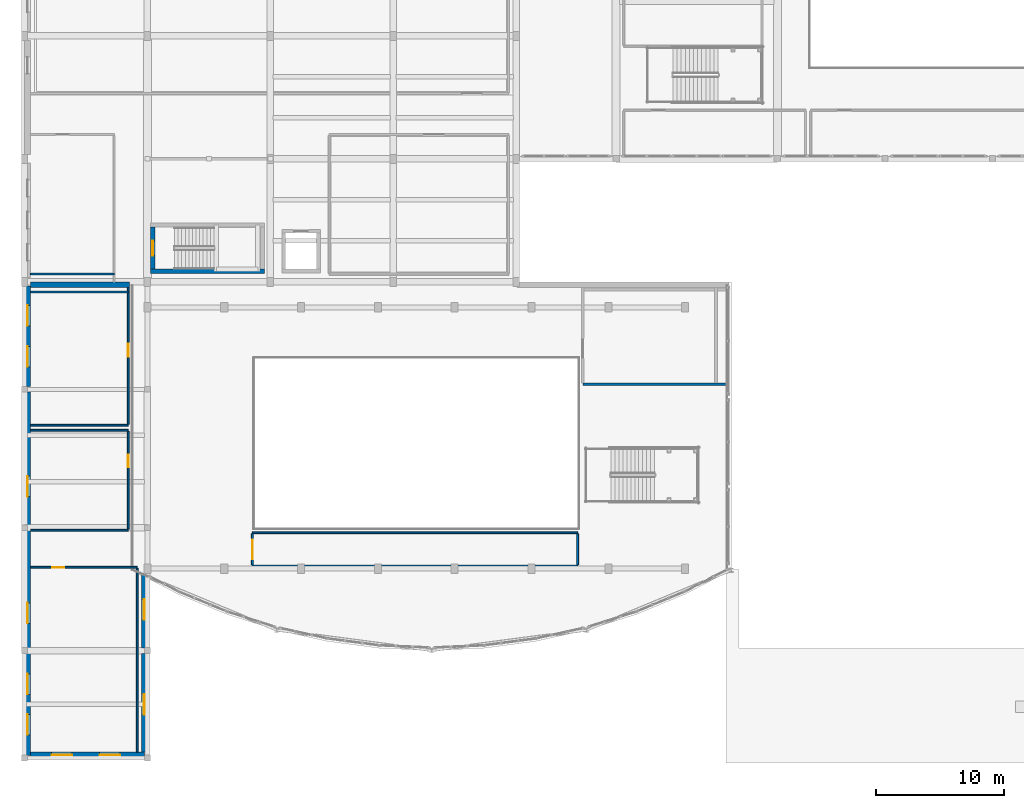
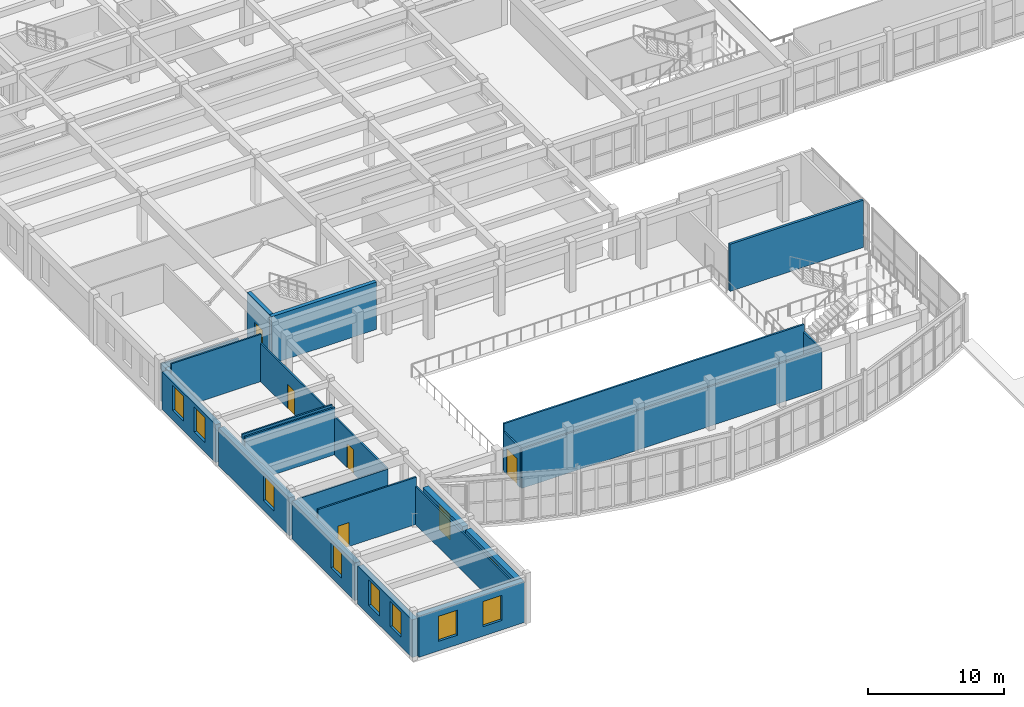
# One storey, part 63 of 92: 24 walls, 10 windows, 5 doors, 15 openings.
"""IFC4 building model written with IfcOpenShell, lengths in metres."""

from ifc_helpers import new_model, si_unit, direction, frame, frame_2d, origin, place, context, subcontext, project, spatial, rectangle, extrude, material, layer, layer_set, type_object, element, fill, save


model = new_model("IFC4")

# Units and contexts
model_context = context("Model", 3, precision=1e-05, world=origin(), true_north=direction((0.0, 1.0)))
body_context = subcontext(model_context, "Body", "Model", "MODEL_VIEW")
ifc_project = project(units=[si_unit("LENGTHUNIT", "METRE"), si_unit("AREAUNIT", "SQUARE_METRE"), si_unit("VOLUMEUNIT", "CUBIC_METRE"), si_unit("PLANEANGLEUNIT", "RADIAN"), si_unit("MASSUNIT", "GRAM", prefix="KILO")], contexts=[model_context])

# Site, building, storey
site_placement = place(None, origin())
site = spatial("IfcSite", under=ifc_project, at=site_placement, CompositionType="ELEMENT")
building_placement = place(site_placement, origin())
building = spatial("IfcBuilding", under=site, at=building_placement, Name="Tarnavel Promenade Courthouse", CompositionType="ELEMENT")
storey_placement = place(building_placement, frame((0.0, 0.0, 5.39990234375)))
storey = spatial("IfcBuildingStorey", under=building, at=storey_placement, Name="L02", CompositionType="ELEMENT", Elevation=5.39990234375)

# Walls
ifc_material_1 = material(Name="Acoustic Insulated Gypsum Stud Partition", Category="gypsum")
ifc_layer_1 = layer(ifc_material_1, 0.14990234375)
ifc_layer_set_1 = layer_set([ifc_layer_1], Name="Acoustic Insulated Gypsum Stud Partition")
wall_type_1 = type_object("IfcWallType", Name="Acoustic Insulated Gypsum Stud Partition WL-LIB-150 (150 mm)", PredefinedType="PARTITIONING", material=ifc_layer_set_1)
wall_1_placement = place(storey_placement, frame((17.800048828125, 17.60009765625, 0.0), z_axis=(0.0, 0.0, 1.0), x_axis=(1.0, 0.0, 0.0)))
element("IfcWall", 1, at=wall_1_placement, inside=storey, type_object=wall_type_1, Name="L02 First Balcony Promenade Lookout Reading Gallery Partition 0312", PredefinedType="PARTITIONING", context=body_context, shape_type="SweptSolid", body=[
    extrude(rectangle(XDim=25.39990234375, YDim=0.14990234375, at=frame_2d((12.699951171875, 0.0))), origin(), (0.0, 0.0, 1.0), 4.22509765625),
])
wall_2_placement = place(storey_placement, frame((43.199951171875, 15.0, 0.0), z_axis=(0.0, 0.0, 1.0), x_axis=(-1.0, 0.0, 0.0)))
element("IfcWall", 2, at=wall_2_placement, inside=storey, type_object=wall_type_1, Name="L02 First Balcony Promenade Lookout Reading Gallery Partition 0313", PredefinedType="PARTITIONING", context=body_context, shape_type="SweptSolid", body=[
    extrude(rectangle(XDim=25.39990234375, YDim=0.14990234375, at=frame_2d((12.699951171875, 0.0))), origin(), (0.0, 0.0, 1.0), 3.530029296875),
])

# Wall, opening, door
wall_3_placement = place(storey_placement, frame((17.800048828125, 15.0849609375, 0.0), z_axis=(0.0, 0.0, 1.0), x_axis=(0.0, 1.0, 0.0)))
wall_3 = element("IfcWall", 3, at=wall_3_placement, inside=storey, type_object=wall_type_1, Name="L02 First Balcony Promenade Lookout Reading Gallery Partition 0314", PredefinedType="PARTITIONING", context=body_context, shape_type="SweptSolid", body=[
    extrude(rectangle(XDim=2.429931640625, YDim=0.14990234375, at=frame_2d((1.21484375, 0.0))), origin(), (0.0, 0.0, 1.0), 3.530029296875),
])
opening_1_placement = place(wall_3_placement, frame((0.465087890625, 0.0, 0.0)))
opening_1 = element("IfcOpeningElement", 4, at=opening_1_placement, cuts=wall_3, Name="Opening ID-05", PredefinedType="OPENING", context=body_context, shape_type="SweptSolid", body=[
    extrude(rectangle(XDim=1.5, YDim=2.35009765625, at=frame_2d((0.75, 1.175048828125))), frame((0.0, 0.0849609375, 0.0), z_axis=(0.0, -1.0, 0.0), x_axis=(1.0, 0.0, 0.0)), (0.0, 0.0, 1.0), 0.169921875),
])
ifc_material_2 = material(Name="Glazed Oak Law Library Double Door")
door_type_1 = type_object("IfcDoorType", Name="Glazed Oak Law Library Double Door (DR-LIB-1500x2350)", OperationType="NOTDEFINED", PredefinedType="DOOR", material=ifc_material_2)
door_1_placement = place(opening_1_placement, origin())
door_1 = element("IfcDoor", 5, at=door_1_placement, inside=storey, type_object=door_type_1, Name="L02 First Balcony Promenade Lookout Reading Gallery Door 0089", OperationType="DOUBLE_DOOR_SINGLE_SWING", OverallHeight=2.35009765625, OverallWidth=1.5, PredefinedType="DOOR", context=body_context, shape_type="SweptSolid", body=[
    extrude(rectangle(XDim=1.5, YDim=2.35009765625, at=frame_2d((0.75, 1.175048828125))), frame((0.0, 0.02490234375, 0.0), z_axis=(0.0, -1.0, 0.0), x_axis=(1.0, 0.0, 0.0)), (0.0, 0.0, 1.0), 0.050048828125),
])
fill(opening_1, door_1)

# Walls
wall_4_placement = place(storey_placement, frame((43.199951171875, 17.514892578125, 0.0), z_axis=(0.0, 0.0, 1.0), x_axis=(0.0, -1.0, 0.0)))
element("IfcWall", 6, at=wall_4_placement, inside=storey, type_object=wall_type_1, Name="L02 First Balcony Promenade Lookout Reading Gallery Partition 0315", PredefinedType="PARTITIONING", context=body_context, shape_type="SweptSolid", body=[
    extrude(rectangle(XDim=2.429931640625, YDim=0.14990234375, at=frame_2d((1.21484375, 0.0))), origin(), (0.0, 0.0, 1.0), 3.570068359375),
])
ifc_material_3 = material(Name="Concrete C40/50", Category="concrete")
ifc_layer_2 = layer(ifc_material_3, 0.320068359375)
ifc_layer_set_2 = layer_set([ifc_layer_2], Name="Concrete C40/50")
wall_type_2 = type_object("IfcWallType", Name="Concrete C40/50 WL-SHR-320 (320 mm)", PredefinedType="SHEAR", material=ifc_layer_set_2)
wall_5_placement = place(storey_placement, frame((18.739990234375, 38.02001953125, 0.0), z_axis=(0.0, 0.0, 1.0), x_axis=(-1.0, 0.0, 0.0)))
element("IfcWall", 7, at=wall_5_placement, inside=storey, type_object=wall_type_2, Name="L02 ST-05 Shear Core South Wall", PredefinedType="SHEAR", context=body_context, shape_type="SweptSolid", body=[
    extrude(rectangle(XDim=8.8798828125, YDim=0.320068359375, at=frame_2d((4.43994140625, 0.0))), origin(), (0.0, 0.0, 1.0), 4.239990234375),
])

# Wall, opening, door
wall_6_placement = place(storey_placement, frame((10.02001953125, 38.179931640625, 0.0), z_axis=(0.0, 0.0, 1.0), x_axis=(0.0, 1.0, 0.0)))
wall_6 = element("IfcWall", 8, at=wall_6_placement, inside=storey, type_object=wall_type_2, Name="L02 ST-05 Shear Core West Landing Wall", PredefinedType="SHEAR", context=body_context, shape_type="SweptSolid", body=[
    extrude(rectangle(XDim=3.280029296875, YDim=0.320068359375, at=frame_2d((1.64013671875, 0.0))), origin(), (0.0, 0.0, 1.0), 4.239990234375),
])
opening_2_placement = place(wall_6_placement, frame((1.06494140625, 0.0, 0.0)))
opening_2 = element("IfcOpeningElement", 9, at=opening_2_placement, cuts=wall_6, Name="Opening FD-01", PredefinedType="OPENING", context=body_context, shape_type="SweptSolid", body=[
    extrude(rectangle(XDim=1.14990234375, YDim=2.199951171875, at=frame_2d((0.574951171875, 1.10009765625))), frame((0.0, 0.169921875, 0.0), z_axis=(0.0, -1.0, 0.0), x_axis=(1.0, 0.0, 0.0)), (0.0, 0.0, 1.0), 0.340087890625),
])
ifc_material_4 = material(Name="Steel Fire-Rated Stair Core Door", Category="steel")
door_type_2 = type_object("IfcDoorType", Name="Steel Fire-Rated Stair Core Door (DR-ST-1150x2200)", OperationType="NOTDEFINED", PredefinedType="DOOR", material=ifc_material_4)
door_2_placement = place(opening_2_placement, origin())
door_2 = element("IfcDoor", 10, at=door_2_placement, inside=storey, type_object=door_type_2, Name="L02 ST-05 Protected Exit Stair Door", OperationType="SINGLE_SWING_LEFT", OverallHeight=2.199951171875, OverallWidth=1.14990234375, PredefinedType="DOOR", context=body_context, shape_type="SweptSolid", body=[
    extrude(rectangle(XDim=1.14990234375, YDim=2.199951171875, at=frame_2d((0.574951171875, 1.10009765625))), frame((0.0, 0.02490234375, 0.0), z_axis=(0.0, -1.0, 0.0), x_axis=(1.0, 0.0, 0.0)), (0.0, 0.0, 1.0), 0.050048828125),
])
fill(opening_2, door_2)

# Walls
ifc_material_5 = material(Name="Concrete Masonry Fire Compartment Wall", Category="masonry")
ifc_layer_3 = layer(ifc_material_5, 0.205078125)
ifc_layer_set_3 = layer_set([ifc_layer_3], Name="Concrete Masonry Fire Compartment Wall")
wall_type_3 = type_object("IfcWallType", Name="Concrete Masonry Fire Compartment Wall WL-CMP-205 (205 mm)", PredefinedType="STANDARD", material=ifc_layer_set_3)
wall_7_placement = place(storey_placement, frame((54.889892578125, 29.199951171875, 0.0), z_axis=(0.0, 0.0, 1.0), x_axis=(-1.0, 0.0, 0.0)))
element("IfcWall", 11, at=wall_7_placement, inside=storey, type_object=wall_type_3, Name="L02 First Balcony Judicial Archives Reference Room Partition 0309", PredefinedType="STANDARD", context=body_context, shape_type="SweptSolid", body=[
    extrude(rectangle(XDim=11.289794921875, YDim=0.205078125, at=frame_2d((5.64501953125, 0.0))), origin(), (0.0, 0.0, 1.0), 4.22509765625),
])
ifc_material_6 = material(Name="Limestone Ashlar Faced Insulated Brick Masonry", Category="masonry")
ifc_layer_4 = layer(ifc_material_6, 0.43994140625)
ifc_layer_set_4 = layer_set([ifc_layer_4], Name="Limestone Ashlar Faced Insulated Brick Masonry")
wall_type_4 = type_object("IfcWallType", Name="Limestone Ashlar Faced Insulated Brick Masonry WL-EXT-440 (440 mm)", PredefinedType="STANDARD", material=ifc_layer_set_4)
wall_8_placement = place(storey_placement, frame((0.471923828125, 36.9599609375, 0.0), z_axis=(0.0, 0.0, 1.0), x_axis=(1.0, 0.0, 0.0)))
element("IfcWall", 12, at=wall_8_placement, inside=storey, type_object=wall_type_4, Name="L02 Portal Pavilion North Stone Wall 0372", PredefinedType="STANDARD", context=body_context, shape_type="SweptSolid", body=[
    extrude(rectangle(XDim=7.72802734375, YDim=0.43994140625, at=frame_2d((3.864013671875, 0.0))), origin(), (0.0, 0.0, 1.0), 3.380126953125),
])

# Wall, openings, windows
ifc_layer_5 = layer(ifc_material_6, 0.47998046875)
ifc_layer_set_5 = layer_set([ifc_layer_5], Name="Limestone Ashlar Faced Insulated Brick Masonry")
wall_type_5 = type_object("IfcWallType", Name="Limestone Ashlar Faced Insulated Brick Masonry WL-EXT-480 (480 mm)", PredefinedType="STANDARD", material=ifc_layer_set_5)
wall_9_placement = place(storey_placement, frame((0.239990234375, 0.217041015625, 0.0), z_axis=(0.0, 0.0, 1.0), x_axis=(0.0, 1.0, 0.0)))
wall_9 = element("IfcWall", 13, at=wall_9_placement, inside=storey, type_object=wall_type_5, Name="L02 Portal Pavilion West Stone Wall 0365", PredefinedType="STANDARD", context=body_context, shape_type="SweptSolid", body=[
    extrude(rectangle(XDim=7.966064453125, YDim=0.47998046875, at=frame_2d((3.98291015625, 0.0))), origin(), (0.0, 0.0, 1.0), 3.380126953125),
])
opening_3_placement = place(wall_9_placement, frame((1.60791015625, 0.0, 0.85009765625)))
opening_3 = element("IfcOpeningElement", 14, at=opening_3_placement, cuts=wall_9, Name="Opening W-10", PredefinedType="OPENING", context=body_context, shape_type="SweptSolid", body=[
    extrude(rectangle(XDim=1.60009765625, YDim=2.25, at=frame_2d((0.800048828125, 1.125))), frame((0.0, 0.25, 0.0), z_axis=(0.0, -1.0, 0.0), x_axis=(1.0, 0.0, 0.0)), (0.0, 0.0, 1.0), 0.5),
])
opening_4_placement = place(wall_9_placement, frame((4.758056640625, 0.0, 0.85009765625)))
opening_4 = element("IfcOpeningElement", 15, at=opening_4_placement, cuts=wall_9, Name="Opening W-10", PredefinedType="OPENING", context=body_context, shape_type="SweptSolid", body=[
    extrude(rectangle(XDim=1.60009765625, YDim=2.25, at=frame_2d((0.800048828125, 1.125))), frame((0.0, 0.25, 0.0), z_axis=(0.0, -1.0, 0.0), x_axis=(1.0, 0.0, 0.0)), (0.0, 0.0, 1.0), 0.5),
])
ifc_material_7 = material(Name="Triple Low-E Glazed Bronze-Clad Window Assembly")
window_type = type_object("IfcWindowType", Name="Triple-Glazed Bronze-Clad Timber-Aluminium WIN-PAV-1600x2250", PartitioningType="SINGLE_PANEL", PredefinedType="WINDOW", material=ifc_material_7)
window_1_placement = place(opening_3_placement, origin())
window_1 = element("IfcWindow", 16, at=window_1_placement, inside=storey, type_object=window_type, Name="L02 Exterior Window 0438", OverallHeight=2.25, OverallWidth=1.60009765625, PartitioningType="SINGLE_PANEL", PredefinedType="WINDOW", context=body_context, shape_type="SweptSolid", body=[
    extrude(rectangle(XDim=1.60009765625, YDim=2.25, at=frame_2d((0.800048828125, 1.125))), frame((0.0, 0.030029296875, 0.0), z_axis=(0.0, -1.0, 0.0), x_axis=(1.0, 0.0, 0.0)), (0.0, 0.0, 1.0), 0.06005859375),
])
fill(opening_3, window_1)
window_2_placement = place(opening_4_placement, origin())
window_2 = element("IfcWindow", 17, at=window_2_placement, inside=storey, type_object=window_type, Name="L02 Exterior Window 0439", OverallHeight=2.25, OverallWidth=1.60009765625, PartitioningType="SINGLE_PANEL", PredefinedType="WINDOW", context=body_context, shape_type="SweptSolid", body=[
    extrude(rectangle(XDim=1.60009765625, YDim=2.25, at=frame_2d((0.800048828125, 1.125))), frame((0.0, 0.030029296875, 0.0), z_axis=(0.0, -1.0, 0.0), x_axis=(1.0, 0.0, 0.0)), (0.0, 0.0, 1.0), 0.06005859375),
])
fill(opening_4, window_2)

# Wall, opening, window
wall_10_placement = place(storey_placement, frame((0.239990234375, 8.616943359375, 0.0), z_axis=(0.0, 0.0, 1.0), x_axis=(0.0, 1.0, 0.0)))
wall_10 = element("IfcWall", 18, at=wall_10_placement, inside=storey, type_object=wall_type_5, Name="L02 Portal Pavilion West Stone Wall 0366", PredefinedType="STANDARD", context=body_context, shape_type="SweptSolid", body=[
    extrude(rectangle(XDim=9.166015625, YDim=0.47998046875, at=frame_2d((4.5830078125, 0.0))), origin(), (0.0, 0.0, 1.0), 3.380126953125),
])
opening_5_placement = place(wall_10_placement, frame((1.907958984375, 0.0, 0.85009765625)))
opening_5 = element("IfcOpeningElement", 19, at=opening_5_placement, cuts=wall_10, Name="Opening W-10", PredefinedType="OPENING", context=body_context, shape_type="SweptSolid", body=[
    extrude(rectangle(XDim=1.60009765625, YDim=2.25, at=frame_2d((0.800048828125, 1.125))), frame((0.0, 0.25, 0.0), z_axis=(0.0, -1.0, 0.0), x_axis=(1.0, 0.0, 0.0)), (0.0, 0.0, 1.0), 0.5),
])
window_3_placement = place(opening_5_placement, origin())
window_3 = element("IfcWindow", 20, at=window_3_placement, inside=storey, type_object=window_type, Name="L02 Exterior Window 0440", OverallHeight=2.25, OverallWidth=1.60009765625, PartitioningType="SINGLE_PANEL", PredefinedType="WINDOW", context=body_context, shape_type="SweptSolid", body=[
    extrude(rectangle(XDim=1.60009765625, YDim=2.25, at=frame_2d((0.800048828125, 1.125))), frame((0.0, 0.030029296875, 0.0), z_axis=(0.0, -1.0, 0.0), x_axis=(1.0, 0.0, 0.0)), (0.0, 0.0, 1.0), 0.06005859375),
])
fill(opening_5, window_3)

wall_11_placement = place(storey_placement, frame((0.239990234375, 18.217041015625, 0.0), z_axis=(0.0, 0.0, 1.0), x_axis=(0.0, 1.0, 0.0)))
wall_11 = element("IfcWall", 21, at=wall_11_placement, inside=storey, type_object=wall_type_5, Name="L02 Portal Pavilion West Stone Wall 0367", PredefinedType="STANDARD", context=body_context, shape_type="SweptSolid", body=[
    extrude(rectangle(XDim=10.365966796875, YDim=0.47998046875, at=frame_2d((5.18310546875, 0.0))), origin(), (0.0, 0.0, 1.0), 3.380126953125),
])
opening_6_placement = place(wall_11_placement, frame((2.2080078125, 0.0, 0.85009765625)))
opening_6 = element("IfcOpeningElement", 22, at=opening_6_placement, cuts=wall_11, Name="Opening W-10", PredefinedType="OPENING", context=body_context, shape_type="SweptSolid", body=[
    extrude(rectangle(XDim=1.60009765625, YDim=2.25, at=frame_2d((0.800048828125, 1.125))), frame((0.0, 0.25, 0.0), z_axis=(0.0, -1.0, 0.0), x_axis=(1.0, 0.0, 0.0)), (0.0, 0.0, 1.0), 0.5),
])
window_4_placement = place(opening_6_placement, origin())
window_4 = element("IfcWindow", 23, at=window_4_placement, inside=storey, type_object=window_type, Name="L02 Exterior Window 0441", OverallHeight=2.25, OverallWidth=1.60009765625, PartitioningType="SINGLE_PANEL", PredefinedType="WINDOW", context=body_context, shape_type="SweptSolid", body=[
    extrude(rectangle(XDim=1.60009765625, YDim=2.25, at=frame_2d((0.800048828125, 1.125))), frame((0.0, 0.030029296875, 0.0), z_axis=(0.0, -1.0, 0.0), x_axis=(1.0, 0.0, 0.0)), (0.0, 0.0, 1.0), 0.06005859375),
])
fill(opening_6, window_4)

# Wall, openings, windows
wall_12_placement = place(storey_placement, frame((0.239990234375, 29.01708984375, 0.0), z_axis=(0.0, 0.0, 1.0), x_axis=(0.0, 1.0, 0.0)))
wall_12 = element("IfcWall", 24, at=wall_12_placement, inside=storey, type_object=wall_type_5, Name="L02 Portal Pavilion West Stone Wall 0368", PredefinedType="STANDARD", context=body_context, shape_type="SweptSolid", body=[
    extrude(rectangle(XDim=7.8408203125, YDim=0.47998046875, at=frame_2d((3.92041015625, 0.0))), origin(), (0.0, 0.0, 1.0), 3.380126953125),
])
opening_7_placement = place(wall_12_placement, frame((1.532958984375, 0.0, 0.85009765625)))
opening_7 = element("IfcOpeningElement", 25, at=opening_7_placement, cuts=wall_12, Name="Opening W-10", PredefinedType="OPENING", context=body_context, shape_type="SweptSolid", body=[
    extrude(rectangle(XDim=1.60009765625, YDim=2.25, at=frame_2d((0.800048828125, 1.125))), frame((0.0, 0.25, 0.0), z_axis=(0.0, -1.0, 0.0), x_axis=(1.0, 0.0, 0.0)), (0.0, 0.0, 1.0), 0.5),
])
opening_8_placement = place(wall_12_placement, frame((4.73291015625, 0.0, 0.85009765625)))
opening_8 = element("IfcOpeningElement", 26, at=opening_8_placement, cuts=wall_12, Name="Opening W-10", PredefinedType="OPENING", context=body_context, shape_type="SweptSolid", body=[
    extrude(rectangle(XDim=1.60009765625, YDim=2.25, at=frame_2d((0.800048828125, 1.125))), frame((0.0, 0.25, 0.0), z_axis=(0.0, -1.0, 0.0), x_axis=(1.0, 0.0, 0.0)), (0.0, 0.0, 1.0), 0.5),
])
window_5_placement = place(opening_7_placement, origin())
window_5 = element("IfcWindow", 27, at=window_5_placement, inside=storey, type_object=window_type, Name="L02 Exterior Window 0442", OverallHeight=2.25, OverallWidth=1.60009765625, PartitioningType="SINGLE_PANEL", PredefinedType="WINDOW", context=body_context, shape_type="SweptSolid", body=[
    extrude(rectangle(XDim=1.60009765625, YDim=2.25, at=frame_2d((0.800048828125, 1.125))), frame((0.0, 0.030029296875, 0.0), z_axis=(0.0, -1.0, 0.0), x_axis=(1.0, 0.0, 0.0)), (0.0, 0.0, 1.0), 0.06005859375),
])
fill(opening_7, window_5)
window_6_placement = place(opening_8_placement, origin())
window_6 = element("IfcWindow", 28, at=window_6_placement, inside=storey, type_object=window_type, Name="L02 Exterior Window 0443", OverallHeight=2.25, OverallWidth=1.60009765625, PartitioningType="SINGLE_PANEL", PredefinedType="WINDOW", context=body_context, shape_type="SweptSolid", body=[
    extrude(rectangle(XDim=1.60009765625, YDim=2.25, at=frame_2d((0.800048828125, 1.125))), frame((0.0, 0.030029296875, 0.0), z_axis=(0.0, -1.0, 0.0), x_axis=(1.0, 0.0, 0.0)), (0.0, 0.0, 1.0), 0.06005859375),
])
fill(opening_8, window_6)

wall_13_placement = place(storey_placement, frame((9.383056640625, 0.239990234375, 0.0), z_axis=(0.0, 0.0, 1.0), x_axis=(-1.0, 0.0, 0.0)))
wall_13 = element("IfcWall", 29, at=wall_13_placement, inside=storey, type_object=wall_type_5, Name="L02 Portal Pavilion South Stone Wall 0369", PredefinedType="STANDARD", context=body_context, shape_type="SweptSolid", body=[
    extrude(rectangle(XDim=8.9111328125, YDim=0.47998046875, at=frame_2d((4.45556640625, 0.0))), origin(), (0.0, 0.0, 1.0), 3.68017578125),
])
opening_9_placement = place(wall_13_placement, frame((1.907958984375, 0.0, 0.85009765625)))
opening_9 = element("IfcOpeningElement", 30, at=opening_9_placement, cuts=wall_13, Name="Opening W-10", PredefinedType="OPENING", context=body_context, shape_type="SweptSolid", body=[
    extrude(rectangle(XDim=1.60009765625, YDim=2.25, at=frame_2d((0.800048828125, 1.125))), frame((0.0, 0.25, 0.0), z_axis=(0.0, -1.0, 0.0), x_axis=(1.0, 0.0, 0.0)), (0.0, 0.0, 1.0), 0.5),
])
opening_10_placement = place(wall_13_placement, frame((5.657958984375, 0.0, 0.85009765625)))
opening_10 = element("IfcOpeningElement", 31, at=opening_10_placement, cuts=wall_13, Name="Opening W-10", PredefinedType="OPENING", context=body_context, shape_type="SweptSolid", body=[
    extrude(rectangle(XDim=1.60009765625, YDim=2.25, at=frame_2d((0.800048828125, 1.125))), frame((0.0, 0.25, 0.0), z_axis=(0.0, -1.0, 0.0), x_axis=(1.0, 0.0, 0.0)), (0.0, 0.0, 1.0), 0.5),
])
window_7_placement = place(opening_9_placement, origin())
window_7 = element("IfcWindow", 32, at=window_7_placement, inside=storey, type_object=window_type, Name="L02 Exterior Window 0444", OverallHeight=2.25, OverallWidth=1.60009765625, PartitioningType="SINGLE_PANEL", PredefinedType="WINDOW", context=body_context, shape_type="SweptSolid", body=[
    extrude(rectangle(XDim=1.60009765625, YDim=2.25, at=frame_2d((0.800048828125, 1.125))), frame((0.0, 0.030029296875, 0.0), z_axis=(0.0, -1.0, 0.0), x_axis=(1.0, 0.0, 0.0)), (0.0, 0.0, 1.0), 0.06005859375),
])
fill(opening_9, window_7)
window_8_placement = place(opening_10_placement, origin())
window_8 = element("IfcWindow", 33, at=window_8_placement, inside=storey, type_object=window_type, Name="L02 Exterior Window 0445", OverallHeight=2.25, OverallWidth=1.60009765625, PartitioningType="SINGLE_PANEL", PredefinedType="WINDOW", context=body_context, shape_type="SweptSolid", body=[
    extrude(rectangle(XDim=1.60009765625, YDim=2.25, at=frame_2d((0.800048828125, 1.125))), frame((0.0, 0.030029296875, 0.0), z_axis=(0.0, -1.0, 0.0), x_axis=(1.0, 0.0, 0.0)), (0.0, 0.0, 1.0), 0.06005859375),
])
fill(opening_10, window_8)

# Wall, opening, window
wall_14_placement = place(storey_placement, frame((9.360107421875, 8.18310546875, 0.0), z_axis=(0.0, 0.0, 1.0), x_axis=(0.0, -1.0, 0.0)))
wall_14 = element("IfcWall", 34, at=wall_14_placement, inside=storey, type_object=wall_type_5, Name="L02 Portal Pavilion East Forecourt Wall 0370", PredefinedType="STANDARD", context=body_context, shape_type="SweptSolid", body=[
    extrude(rectangle(XDim=7.711181640625, YDim=0.47998046875, at=frame_2d((3.85546875, 0.0))), origin(), (0.0, 0.0, 1.0), 3.43017578125),
])
opening_11_placement = place(wall_14_placement, frame((3.18310546875, 0.0, 0.85009765625)))
opening_11 = element("IfcOpeningElement", 35, at=opening_11_placement, cuts=wall_14, Name="Opening W-10", PredefinedType="OPENING", context=body_context, shape_type="SweptSolid", body=[
    extrude(rectangle(XDim=1.60009765625, YDim=2.25, at=frame_2d((0.800048828125, 1.125))), frame((0.0, 0.25, 0.0), z_axis=(0.0, -1.0, 0.0), x_axis=(1.0, 0.0, 0.0)), (0.0, 0.0, 1.0), 0.5),
])
window_9_placement = place(opening_11_placement, origin())
window_9 = element("IfcWindow", 36, at=window_9_placement, inside=storey, type_object=window_type, Name="L02 Exterior Window 0446", OverallHeight=2.25, OverallWidth=1.60009765625, PartitioningType="SINGLE_PANEL", PredefinedType="WINDOW", context=body_context, shape_type="SweptSolid", body=[
    extrude(rectangle(XDim=1.60009765625, YDim=2.25, at=frame_2d((0.800048828125, 1.125))), frame((0.0, 0.030029296875, 0.0), z_axis=(0.0, -1.0, 0.0), x_axis=(1.0, 0.0, 0.0)), (0.0, 0.0, 1.0), 0.06005859375),
])
fill(opening_11, window_9)

wall_15_placement = place(storey_placement, frame((9.360107421875, 14.43310546875, 0.0), z_axis=(0.0, 0.0, 1.0), x_axis=(0.0, -1.0, 0.0)))
wall_15 = element("IfcWall", 37, at=wall_15_placement, inside=storey, type_object=wall_type_5, Name="L02 Portal Pavilion East Forecourt Wall 0371", PredefinedType="STANDARD", context=body_context, shape_type="SweptSolid", body=[
    extrude(rectangle(XDim=5.816162109375, YDim=0.47998046875, at=frame_2d((2.908203125, 0.0))), origin(), (0.0, 0.0, 1.0), 3.43017578125),
])
opening_12_placement = place(wall_15_placement, frame((2.032958984375, 0.0, 0.85009765625)))
opening_12 = element("IfcOpeningElement", 38, at=opening_12_placement, cuts=wall_15, Name="Opening W-10", PredefinedType="OPENING", context=body_context, shape_type="SweptSolid", body=[
    extrude(rectangle(XDim=1.60009765625, YDim=2.25, at=frame_2d((0.800048828125, 1.125))), frame((0.0, 0.25, 0.0), z_axis=(0.0, -1.0, 0.0), x_axis=(1.0, 0.0, 0.0)), (0.0, 0.0, 1.0), 0.5),
])
window_10_placement = place(opening_12_placement, origin())
window_10 = element("IfcWindow", 39, at=window_10_placement, inside=storey, type_object=window_type, Name="L02 Exterior Window 0447", OverallHeight=2.25, OverallWidth=1.60009765625, PartitioningType="SINGLE_PANEL", PredefinedType="WINDOW", context=body_context, shape_type="SweptSolid", body=[
    extrude(rectangle(XDim=1.60009765625, YDim=2.25, at=frame_2d((0.800048828125, 1.125))), frame((0.0, 0.030029296875, 0.0), z_axis=(0.0, -1.0, 0.0), x_axis=(1.0, 0.0, 0.0)), (0.0, 0.0, 1.0), 0.06005859375),
])
fill(opening_12, window_10)

# Wall
ifc_material_8 = material(Name="Metal-Stud Acoustic Gypsum Partition", Category="gypsum")
ifc_layer_6 = layer(ifc_material_8, 0.135009765625)
ifc_layer_set_6 = layer_set([ifc_layer_6], Name="Metal-Stud Acoustic Gypsum Partition")
wall_type_6 = type_object("IfcWallType", Name="Metal-Stud Acoustic Gypsum Partition WL-OFF-135 (135 mm)", PredefinedType="PARTITIONING", material=ifc_layer_set_6)
wall_16_placement = place(storey_placement, frame((7.0, 37.800048828125, 0.0), z_axis=(0.0, 0.0, 1.0), x_axis=(-1.0, 0.0, 0.0)))
element("IfcWall", 40, at=wall_16_placement, inside=storey, type_object=wall_type_6, Name="L02 L02 Legal Scholars' Study Carrels Partition 0302", PredefinedType="PARTITIONING", context=body_context, shape_type="SweptSolid", body=[
    extrude(rectangle(XDim=6.5458984375, YDim=0.135009765625, at=frame_2d((3.27294921875, 0.0))), origin(), (0.0, 0.0, 1.0), 3.380126953125),
])

# Wall, opening, door
wall_17_placement = place(storey_placement, frame((0.47412109375, 14.89990234375, 0.0), z_axis=(0.0, 0.0, 1.0), x_axis=(1.0, 0.0, 0.0)))
wall_17 = element("IfcWall", 41, at=wall_17_placement, inside=storey, type_object=wall_type_6, Name="L02 First Balcony Judicial Protocol and Press Suite Partition 0316", PredefinedType="PARTITIONING", context=body_context, shape_type="SweptSolid", body=[
    extrude(rectangle(XDim=8.325927734375, YDim=0.135009765625, at=frame_2d((4.1630859375, 0.0))), origin(), (0.0, 0.0, 1.0), 4.22509765625),
])
opening_13_placement = place(wall_17_placement, frame((1.685302734375, 0.0, 0.0)))
opening_13 = element("IfcOpeningElement", 42, at=opening_13_placement, cuts=wall_17, Name="Opening ID-06", PredefinedType="OPENING", context=body_context, shape_type="SweptSolid", body=[
    extrude(rectangle(XDim=0.949951171875, YDim=2.14990234375, at=frame_2d((0.47509765625, 1.074951171875))), frame((0.0, 0.077392578125, 0.0), z_axis=(0.0, -1.0, 0.0), x_axis=(1.0, 0.0, 0.0)), (0.0, 0.0, 1.0), 0.155029296875),
])
ifc_material_9 = material(Name="Acoustic Timber Veneer Office Door", Category="wood")
door_type_3 = type_object("IfcDoorType", Name="Acoustic Timber Veneer Office Door (DR-OFF-0950x2150)", OperationType="NOTDEFINED", PredefinedType="DOOR", material=ifc_material_9)
door_3_placement = place(opening_13_placement, origin())
door_3 = element("IfcDoor", 43, at=door_3_placement, inside=storey, type_object=door_type_3, Name="L02 First Balcony Judicial Protocol and Press Suite Door 0090", OperationType="SINGLE_SWING_RIGHT", OverallHeight=2.14990234375, OverallWidth=0.949951171875, PredefinedType="DOOR", context=body_context, shape_type="SweptSolid", body=[
    extrude(rectangle(XDim=0.949951171875, YDim=2.14990234375, at=frame_2d((0.47509765625, 1.074951171875))), frame((0.0, 0.02490234375, 0.0), z_axis=(0.0, -1.0, 0.0), x_axis=(1.0, 0.0, 0.0)), (0.0, 0.0, 1.0), 0.050048828125),
])
fill(opening_13, door_3)

# Walls
wall_18_placement = place(storey_placement, frame((8.800048828125, 14.822509765625, 0.0), z_axis=(0.0, 0.0, 1.0), x_axis=(0.0, -1.0, 0.0)))
element("IfcWall", 44, at=wall_18_placement, inside=storey, type_object=wall_type_6, Name="L02 First Balcony Judicial Protocol and Press Suite Partition 0317", PredefinedType="PARTITIONING", context=body_context, shape_type="SweptSolid", body=[
    extrude(rectangle(XDim=14.348388671875, YDim=0.135009765625, at=frame_2d((7.17431640625, 0.0))), origin(), (0.0, 0.0, 1.0), 3.43017578125),
])
wall_19_placement = place(storey_placement, frame((0.47412109375, 25.60009765625, 0.0), z_axis=(0.0, 0.0, 1.0), x_axis=(1.0, 0.0, 0.0)))
element("IfcWall", 45, at=wall_19_placement, inside=storey, type_object=wall_type_6, Name="L02 First Balcony Registry Records Office Partition 0318", PredefinedType="PARTITIONING", context=body_context, shape_type="SweptSolid", body=[
    extrude(rectangle(XDim=7.6259765625, YDim=0.135009765625, at=frame_2d((3.81298828125, 0.0))), origin(), (0.0, 0.0, 1.0), 4.22509765625),
])
wall_20_placement = place(storey_placement, frame((8.10009765625, 17.800048828125, 0.0), z_axis=(0.0, 0.0, 1.0), x_axis=(-1.0, 0.0, 0.0)))
element("IfcWall", 46, at=wall_20_placement, inside=storey, type_object=wall_type_6, Name="L02 First Balcony Registry Records Office Partition 0319", PredefinedType="PARTITIONING", context=body_context, shape_type="SweptSolid", body=[
    extrude(rectangle(XDim=7.6259765625, YDim=0.135009765625, at=frame_2d((3.81298828125, 0.0))), origin(), (0.0, 0.0, 1.0), 3.43017578125),
])

# Wall, opening, door
wall_21_placement = place(storey_placement, frame((8.10009765625, 25.5224609375, 0.0), z_axis=(0.0, 0.0, 1.0), x_axis=(0.0, -1.0, 0.0)))
wall_21 = element("IfcWall", 47, at=wall_21_placement, inside=storey, type_object=wall_type_6, Name="L02 First Balcony Registry Records Office Partition 0320", PredefinedType="PARTITIONING", context=body_context, shape_type="SweptSolid", body=[
    extrude(rectangle(XDim=7.64501953125, YDim=0.135009765625, at=frame_2d((3.822509765625, 0.0))), origin(), (0.0, 0.0, 1.0), 3.43017578125),
])
opening_14_placement = place(wall_21_placement, frame((1.8486328125, 0.0, 0.0)))
opening_14 = element("IfcOpeningElement", 48, at=opening_14_placement, cuts=wall_21, Name="Opening ID-06", PredefinedType="OPENING", context=body_context, shape_type="SweptSolid", body=[
    extrude(rectangle(XDim=0.949951171875, YDim=2.14990234375, at=frame_2d((0.47509765625, 1.074951171875))), frame((0.0, 0.077392578125, 0.0), z_axis=(0.0, -1.0, 0.0), x_axis=(1.0, 0.0, 0.0)), (0.0, 0.0, 1.0), 0.155029296875),
])
door_4_placement = place(opening_14_placement, origin())
door_4 = element("IfcDoor", 49, at=door_4_placement, inside=storey, type_object=door_type_3, Name="L02 First Balcony Registry Records Office Door 0091", OperationType="SINGLE_SWING_LEFT", OverallHeight=2.14990234375, OverallWidth=0.949951171875, PredefinedType="DOOR", context=body_context, shape_type="SweptSolid", body=[
    extrude(rectangle(XDim=0.949951171875, YDim=2.14990234375, at=frame_2d((0.47509765625, 1.074951171875))), frame((0.0, 0.02490234375, 0.0), z_axis=(0.0, -1.0, 0.0), x_axis=(1.0, 0.0, 0.0)), (0.0, 0.0, 1.0), 0.050048828125),
])
fill(opening_14, door_4)

# Walls
for number, where, z_axis, x_axis, name in (
    (50, (0.47412109375, 36.39990234375, 0.0), (0.0, 0.0, 1.0), (1.0, 0.0, 0.0), "L02 First Balcony Public Mediation Suite Partition 0321"),
    (51, (8.10009765625, 26.0, 0.0), (0.0, 0.0, 1.0), (-1.0, 0.0, 0.0), "L02 First Balcony Public Mediation Suite Partition 0322"),
):
    element("IfcWall", number, at=place(storey_placement, frame(where, z_axis=z_axis, x_axis=x_axis)), inside=storey, type_object=wall_type_6, Name=name, PredefinedType="PARTITIONING", context=body_context, shape_type="SweptSolid", body=[
        extrude(rectangle(XDim=7.6259765625, YDim=0.135009765625, at=frame_2d((3.81298828125, 0.0))), origin(), (0.0, 0.0, 1.0), 4.22509765625),
    ])

# Wall, opening, door
wall_22_placement = place(storey_placement, frame((8.10009765625, 36.74609375, 0.0), z_axis=(0.0, 0.0, 1.0), x_axis=(0.0, -1.0, 0.0)))
wall_22 = element("IfcWall", 52, at=wall_22_placement, inside=storey, type_object=wall_type_6, Name="L02 First Balcony Public Mediation Suite Partition 0323", PredefinedType="PARTITIONING", context=body_context, shape_type="SweptSolid", body=[
    extrude(rectangle(XDim=10.668701171875, YDim=0.135009765625, at=frame_2d((5.33447265625, 0.0))), origin(), (0.0, 0.0, 1.0), 3.43017578125),
])
opening_15_placement = place(wall_22_placement, frame((4.376708984375, 0.0, 0.0)))
opening_15 = element("IfcOpeningElement", 53, at=opening_15_placement, cuts=wall_22, Name="Opening ID-07", PredefinedType="OPENING", context=body_context, shape_type="SweptSolid", body=[
    extrude(rectangle(XDim=1.02001953125, YDim=2.14990234375, at=frame_2d((0.510009765625, 1.074951171875))), frame((0.0, 0.077392578125, 0.0), z_axis=(0.0, -1.0, 0.0), x_axis=(1.0, 0.0, 0.0)), (0.0, 0.0, 1.0), 0.155029296875),
])
ifc_material_10 = material(Name="Acoustic Timber Seminar Room Door", Category="wood")
door_type_4 = type_object("IfcDoorType", Name="Acoustic Timber Seminar Room Door (DR-MTG-1020x2150)", OperationType="NOTDEFINED", PredefinedType="DOOR", material=ifc_material_10)
door_5_placement = place(opening_15_placement, origin())
door_5 = element("IfcDoor", 54, at=door_5_placement, inside=storey, type_object=door_type_4, Name="L02 First Balcony Public Mediation Suite Door 0092", OperationType="SINGLE_SWING_RIGHT", OverallHeight=2.14990234375, OverallWidth=1.02001953125, PredefinedType="DOOR", context=body_context, shape_type="SweptSolid", body=[
    extrude(rectangle(XDim=1.02001953125, YDim=2.14990234375, at=frame_2d((0.510009765625, 1.074951171875))), frame((0.0, 0.02490234375, 0.0), z_axis=(0.0, -1.0, 0.0), x_axis=(1.0, 0.0, 0.0)), (0.0, 0.0, 1.0), 0.050048828125),
])
fill(opening_15, door_5)

save(model, "model.ifc")
